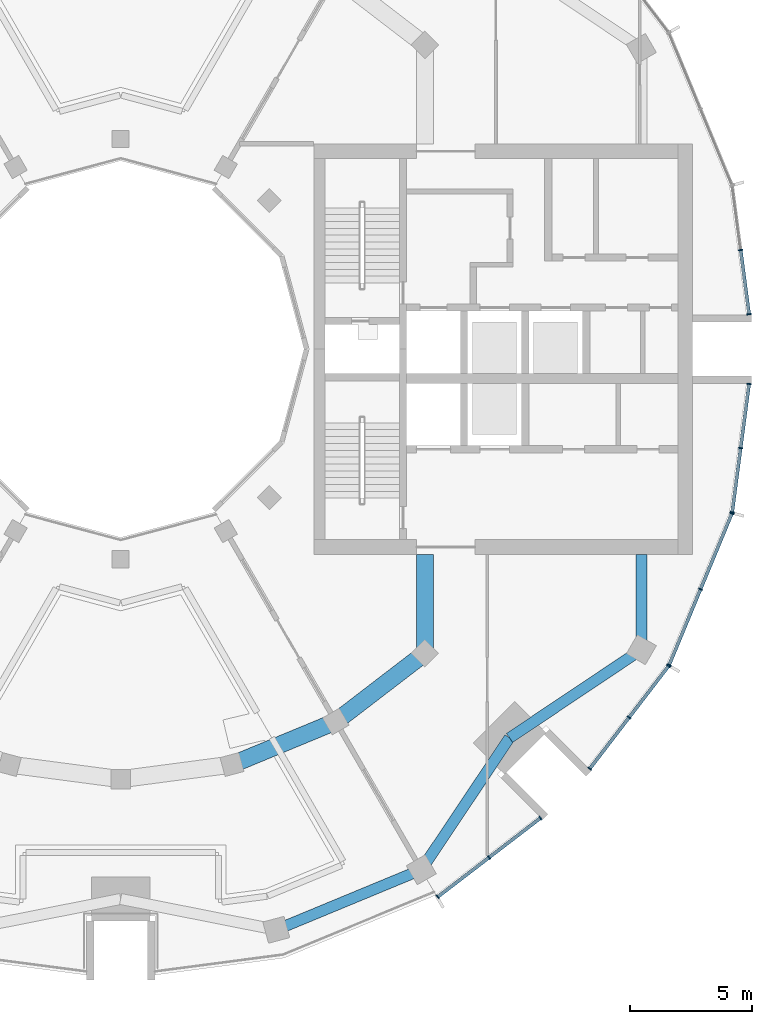
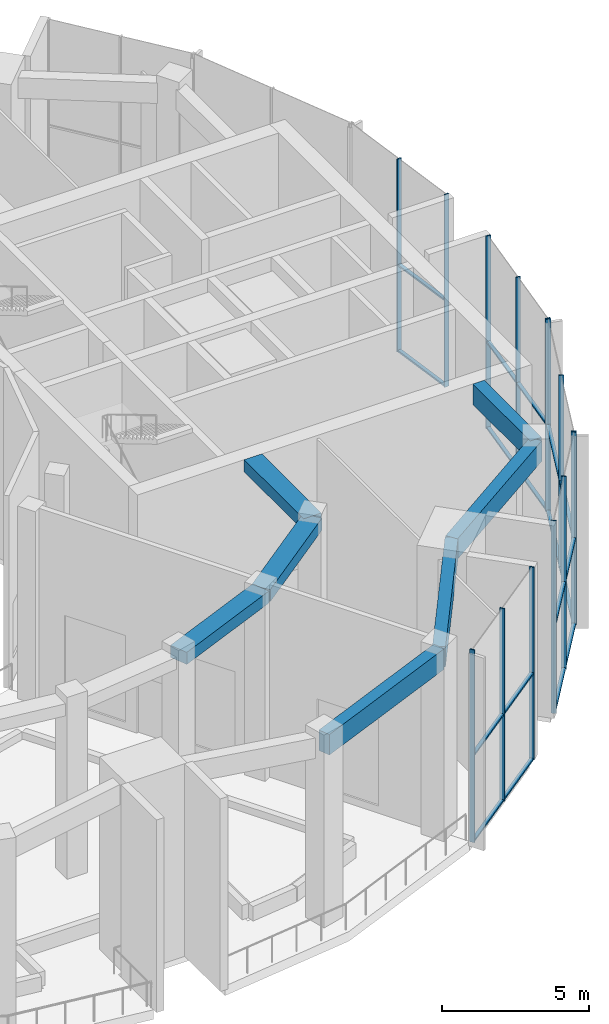
# One storey, part 5 of 18: 32 members, 7 beams, 5 elements without a shape of their own.
"""IFC4 building model written with IfcOpenShell, lengths in metres."""

from ifc_helpers import new_model, si_unit, direction, frame, origin, origin_2d, place, context, subcontext, project, spatial, rectangle, extrude, material, layer, layer_set, material_profile, profile_set, type_object, element, aggregate, save


model = new_model("IFC4")

# Units and contexts
model_context = context("Model", 3, precision=1e-05, world=origin(), true_north=direction((0.0, 1.0)))
body_context = subcontext(model_context, "Body", "Model", "MODEL_VIEW")
ifc_project = project(units=[si_unit("LENGTHUNIT", "METRE"), si_unit("AREAUNIT", "SQUARE_METRE"), si_unit("VOLUMEUNIT", "CUBIC_METRE"), si_unit("PLANEANGLEUNIT", "RADIAN"), si_unit("MASSUNIT", "GRAM", prefix="KILO")], contexts=[model_context])

# Site, building, storey
site_placement = place(None, origin())
site = spatial("IfcSite", under=ifc_project, at=site_placement, CompositionType="ELEMENT")
building_placement = place(site_placement, origin())
building = spatial("IfcBuilding", under=site, at=building_placement, Name="Torre Brocal", CompositionType="ELEMENT")
storey_placement = place(building_placement, frame((0.0, 0.0, 229.300048828125)))
storey = spatial("IfcBuildingStorey", under=building, at=storey_placement, Name="L53", CompositionType="ELEMENT", Elevation=229.300048828125)

# Curtain wall, members
ifc_material_1 = material(Name="Aluminium and glass", Category="aluminium")
ifc_layer = layer(ifc_material_1, 0.199951171875)
ifc_layer_set = layer_set([ifc_layer], Name="Aluminium and glass")
curtain_wall_type = type_object("IfcCurtainWallType", Name="CW-4 CURTAIN WALL 8000 HIGH", PredefinedType="NOTDEFINED", material=ifc_layer_set)
curtain_wall_1_placement = place(storey_placement, origin())
curtain_wall_1 = element("IfcCurtainWall", 1, at=curtain_wall_1_placement, inside=storey, type_object=curtain_wall_type, Name="CW-4 RUN 1", PredefinedType="NOTDEFINED")
ifc_material_2 = material(Name="Aluminium, dark anodised", Category="aluminium")
ifc_material_profile_1 = material_profile(ifc_material_2, rectangle(XDim=0.179931640625, YDim=0.050048828125, at=origin_2d()), Name="CW-4 MULLION 50X180")
ifc_profile_set_1 = profile_set([ifc_material_profile_1], Name="Aluminium, dark anodised")
member_type_1 = type_object("IfcMemberType", Name="CW-4 MULLION 50X180", PredefinedType="MULLION", material=ifc_profile_set_1)
member_1_placement = place(storey_placement, frame((105.711669921875, 76.4248046875, 0.0), z_axis=(0.0, 0.0, 1.0), x_axis=(-0.991444861374, -0.13052619222, 0.0)))
member_1 = element("IfcMember", 2, at=member_1_placement, type_object=member_type_1, Name="CW4-1 mullion 1", PredefinedType="MULLION", context=body_context, shape_type="SweptSolid", body=[
    extrude(rectangle(XDim=0.179931640625, YDim=0.050048828125, at=origin_2d()), origin(), (0.0, 0.0, 1.0), 8.0),
])
member_2_placement = place(storey_placement, frame((105.36572265625, 79.051513671875, 0.0), z_axis=(0.0, 0.0, 1.0), x_axis=(-0.991444861374, -0.13052619222, 0.0)))
member_2 = element("IfcMember", 3, at=member_2_placement, type_object=member_type_1, Name="CW4-1 mullion 2", PredefinedType="MULLION", context=body_context, shape_type="SweptSolid", body=[
    extrude(rectangle(XDim=0.179931640625, YDim=0.050048828125, at=origin_2d()), origin(), (0.0, 0.0, 1.0), 8.0),
])

curtain_wall_2_placement = place(storey_placement, origin())
curtain_wall_2 = element("IfcCurtainWall", 4, at=curtain_wall_2_placement, inside=storey, type_object=curtain_wall_type, Name="CW-4 RUN 21", PredefinedType="NOTDEFINED")
member_3_placement = place(storey_placement, frame((92.969482421875, 52.5859375, 0.0), z_axis=(0.0, 0.0, 1.0), x_axis=(-0.60876142905, 0.793353340259, 0.0)))
member_3 = element("IfcMember", 5, at=member_3_placement, type_object=member_type_1, Name="CW4-1 mullion 1", PredefinedType="MULLION", context=body_context, shape_type="SweptSolid", body=[
    extrude(rectangle(XDim=0.179931640625, YDim=0.050048828125, at=origin_2d()), origin(), (0.0, 0.0, 1.0), 8.0),
])
member_4_placement = place(storey_placement, frame((95.0712890625, 54.19873046875, 0.0), z_axis=(0.0, 0.0, 1.0), x_axis=(-0.60876142905, 0.793353340259, 0.0)))
member_4 = element("IfcMember", 6, at=member_4_placement, type_object=member_type_1, Name="CW4-1 mullion 2", PredefinedType="MULLION", context=body_context, shape_type="SweptSolid", body=[
    extrude(rectangle(XDim=0.179931640625, YDim=0.050048828125, at=origin_2d()), origin(), (0.0, 0.0, 1.0), 8.0),
])
member_5_placement = place(storey_placement, frame((97.17333984375, 55.811767578125, 0.0), z_axis=(0.0, 0.0, 1.0), x_axis=(-0.60876142905, 0.793353340259, 0.0)))
member_5 = element("IfcMember", 7, at=member_5_placement, type_object=member_type_1, Name="CW4-1 mullion 3", PredefinedType="MULLION", context=body_context, shape_type="SweptSolid", body=[
    extrude(rectangle(XDim=0.179931640625, YDim=0.050048828125, at=origin_2d()), origin(), (0.0, 0.0, 1.0), 8.0),
])

curtain_wall_3_placement = place(storey_placement, origin())
curtain_wall_3 = element("IfcCurtainWall", 8, at=curtain_wall_3_placement, inside=storey, type_object=curtain_wall_type, Name="CW-4 RUN 22", PredefinedType="NOTDEFINED")
member_6_placement = place(storey_placement, frame((99.188232421875, 57.82666015625, 0.0), z_axis=(0.0, 0.0, 1.0), x_axis=(-0.793353340259, 0.60876142905, 0.0)))
member_6 = element("IfcMember", 9, at=member_6_placement, type_object=member_type_1, Name="CW4-1 mullion 1", PredefinedType="MULLION", context=body_context, shape_type="SweptSolid", body=[
    extrude(rectangle(XDim=0.179931640625, YDim=0.050048828125, at=origin_2d()), origin(), (0.0, 0.0, 1.0), 8.0),
])
member_7_placement = place(storey_placement, frame((100.80126953125, 59.9287109375, 0.0), z_axis=(0.0, 0.0, 1.0), x_axis=(-0.793353340259, 0.60876142905, 0.0)))
member_7 = element("IfcMember", 10, at=member_7_placement, type_object=member_type_1, Name="CW4-1 mullion 2", PredefinedType="MULLION", context=body_context, shape_type="SweptSolid", body=[
    extrude(rectangle(XDim=0.179931640625, YDim=0.050048828125, at=origin_2d()), origin(), (0.0, 0.0, 1.0), 8.0),
])
member_8_placement = place(storey_placement, frame((102.4140625, 62.030517578125, 0.0), z_axis=(0.0, 0.0, 1.0), x_axis=(-0.793353340259, 0.60876142905, 0.0)))
member_8 = element("IfcMember", 11, at=member_8_placement, type_object=member_type_1, Name="CW4-1 mullion 3", PredefinedType="MULLION", context=body_context, shape_type="SweptSolid", body=[
    extrude(rectangle(XDim=0.179931640625, YDim=0.050048828125, at=origin_2d()), origin(), (0.0, 0.0, 1.0), 8.0),
])

curtain_wall_4_placement = place(storey_placement, origin())
curtain_wall_4 = element("IfcCurtainWall", 12, at=curtain_wall_4_placement, inside=storey, type_object=curtain_wall_type, Name="CW-4 RUN 23", PredefinedType="NOTDEFINED")
member_9_placement = place(storey_placement, frame((102.43896484375, 62.073486328125, 0.0), z_axis=(0.0, 0.0, 1.0), x_axis=(-0.923879532525, 0.382683432333, 0.0)))
member_9 = element("IfcMember", 13, at=member_9_placement, type_object=member_type_1, Name="CW4-1 mullion 1", PredefinedType="MULLION", context=body_context, shape_type="SweptSolid", body=[
    extrude(rectangle(XDim=0.179931640625, YDim=0.050048828125, at=origin_2d()), origin(), (0.0, 0.0, 1.0), 8.0),
])
member_10_placement = place(storey_placement, frame((103.722900390625, 65.173583984375, 0.0), z_axis=(0.0, 0.0, 1.0), x_axis=(-0.923879532525, 0.382683432333, 0.0)))
member_10 = element("IfcMember", 14, at=member_10_placement, type_object=member_type_1, Name="CW4-1 mullion 2", PredefinedType="MULLION", context=body_context, shape_type="SweptSolid", body=[
    extrude(rectangle(XDim=0.179931640625, YDim=0.050048828125, at=origin_2d()), origin(), (0.0, 0.0, 1.0), 8.0),
])
member_11_placement = place(storey_placement, frame((105.007080078125, 68.273681640625, 0.0), z_axis=(0.0, 0.0, 1.0), x_axis=(-0.923879532525, 0.382683432333, 0.0)))
member_11 = element("IfcMember", 15, at=member_11_placement, type_object=member_type_1, Name="CW4-1 mullion 3", PredefinedType="MULLION", context=body_context, shape_type="SweptSolid", body=[
    extrude(rectangle(XDim=0.179931640625, YDim=0.050048828125, at=origin_2d()), origin(), (0.0, 0.0, 1.0), 8.0),
])

curtain_wall_5_placement = place(storey_placement, origin())
curtain_wall_5 = element("IfcCurtainWall", 16, at=curtain_wall_5_placement, inside=storey, type_object=curtain_wall_type, Name="CW-4 RUN 24", PredefinedType="NOTDEFINED")
member_12_placement = place(storey_placement, frame((105.02001953125, 68.321533203125, 0.0), z_axis=(0.0, 0.0, 1.0), x_axis=(-0.991444861374, 0.13052619222, 0.0)))
member_12 = element("IfcMember", 17, at=member_12_placement, type_object=member_type_1, Name="CW4-1 mullion 1", PredefinedType="MULLION", context=body_context, shape_type="SweptSolid", body=[
    extrude(rectangle(XDim=0.179931640625, YDim=0.050048828125, at=origin_2d()), origin(), (0.0, 0.0, 1.0), 8.0),
])
member_13_placement = place(storey_placement, frame((105.36572265625, 70.948486328125, 0.0), z_axis=(0.0, 0.0, 1.0), x_axis=(-0.991444861374, 0.13052619222, 0.0)))
member_13 = element("IfcMember", 18, at=member_13_placement, type_object=member_type_1, Name="CW4-1 mullion 2", PredefinedType="MULLION", context=body_context, shape_type="SweptSolid", body=[
    extrude(rectangle(XDim=0.179931640625, YDim=0.050048828125, at=origin_2d()), origin(), (0.0, 0.0, 1.0), 8.0),
])
member_14_placement = place(storey_placement, frame((105.711669921875, 73.5751953125, 0.0), z_axis=(0.0, 0.0, 1.0), x_axis=(-0.991444861374, 0.13052619222, 0.0)))
member_14 = element("IfcMember", 19, at=member_14_placement, type_object=member_type_1, Name="CW4-1 mullion 3", PredefinedType="MULLION", context=body_context, shape_type="SweptSolid", body=[
    extrude(rectangle(XDim=0.179931640625, YDim=0.050048828125, at=origin_2d()), origin(), (0.0, 0.0, 1.0), 8.0),
])

# Member
ifc_material_3 = material(Name="Aluminium, dark anodised", Category="aluminium")
ifc_material_profile_2 = material_profile(ifc_material_3, rectangle(XDim=0.139892578125, YDim=0.070068359375, at=origin_2d()), Name="CW-4 TRANSOM 140X70")
ifc_profile_set_2 = profile_set([ifc_material_profile_2], Name="Aluminium, dark anodised")
member_type_2 = type_object("IfcMemberType", Name="CW-4 TRANSOM 140X70", PredefinedType="USERDEFINED", material=ifc_profile_set_2)
member_15_placement = place(storey_placement, frame((105.708251953125, 76.449462890625, 0.034912109375), z_axis=(-0.130539539143, 0.991443104127, 0.0), x_axis=(-0.991443104127, -0.130539539143, 0.0)))
member_15 = element("IfcMember", 20, at=member_15_placement, type_object=member_type_2, Name="CW4-1 transom 1.1", ObjectType="TRANSOM", PredefinedType="USERDEFINED", context=body_context, shape_type="SweptSolid", body=[
    extrude(rectangle(XDim=0.139892578125, YDim=0.070068359375, at=origin_2d()), origin(), (0.0, 0.0, 1.0), 2.599609375),
])

member_16_placement = place(storey_placement, frame((105.708251953125, 76.449462890625, 3.599853515625), z_axis=(-0.130539539143, 0.991443104127, 0.0), x_axis=(-0.991443104127, -0.130539539143, 0.0)))
member_16 = element("IfcMember", 21, at=member_16_placement, type_object=member_type_2, Name="CW4-1 transom 1.2", ObjectType="TRANSOM", PredefinedType="USERDEFINED", context=body_context, shape_type="SweptSolid", body=[
    extrude(rectangle(XDim=0.139892578125, YDim=0.070068359375, at=origin_2d()), origin(), (0.0, 0.0, 1.0), 2.599609375),
])

aggregate(curtain_wall_1, [member_1, member_2, member_15, member_16])

member_17_placement = place(storey_placement, frame((92.9892578125, 52.60107421875, 0.034912109375), z_axis=(0.793335698171, 0.608784419977, 0.0), x_axis=(-0.608784419977, 0.793335698171, 0.0)))
member_17 = element("IfcMember", 22, at=member_17_placement, type_object=member_type_2, Name="CW4-1 transom 1.1", ObjectType="TRANSOM", PredefinedType="USERDEFINED", context=body_context, shape_type="SweptSolid", body=[
    extrude(rectangle(XDim=0.139892578125, YDim=0.070068359375, at=origin_2d()), origin(), (0.0, 0.0, 1.0), 2.599365234375),
])

member_18_placement = place(storey_placement, frame((92.9892578125, 52.60107421875, 3.599853515625), z_axis=(0.793335698171, 0.608784419977, 0.0), x_axis=(-0.608784419977, 0.793335698171, 0.0)))
member_18 = element("IfcMember", 23, at=member_18_placement, type_object=member_type_2, Name="CW4-1 transom 1.2", ObjectType="TRANSOM", PredefinedType="USERDEFINED", context=body_context, shape_type="SweptSolid", body=[
    extrude(rectangle(XDim=0.139892578125, YDim=0.070068359375, at=origin_2d()), origin(), (0.0, 0.0, 1.0), 2.599365234375),
])

member_19_placement = place(storey_placement, frame((95.09130859375, 54.214111328125, 0.034912109375), z_axis=(0.79338105877, 0.608725303881, 0.0), x_axis=(-0.608725303881, 0.79338105877, 0.0)))
member_19 = element("IfcMember", 24, at=member_19_placement, type_object=member_type_2, Name="CW4-1 transom 2.1", ObjectType="TRANSOM", PredefinedType="USERDEFINED", context=body_context, shape_type="SweptSolid", body=[
    extrude(rectangle(XDim=0.139892578125, YDim=0.070068359375, at=origin_2d()), origin(), (0.0, 0.0, 1.0), 2.599365234375),
])

member_20_placement = place(storey_placement, frame((95.09130859375, 54.214111328125, 3.599853515625), z_axis=(0.79338105877, 0.608725303881, 0.0), x_axis=(-0.608725303881, 0.79338105877, 0.0)))
member_20 = element("IfcMember", 25, at=member_20_placement, type_object=member_type_2, Name="CW4-1 transom 2.2", ObjectType="TRANSOM", PredefinedType="USERDEFINED", context=body_context, shape_type="SweptSolid", body=[
    extrude(rectangle(XDim=0.139892578125, YDim=0.070068359375, at=origin_2d()), origin(), (0.0, 0.0, 1.0), 2.599365234375),
])

aggregate(curtain_wall_2, [member_3, member_4, member_5, member_17, member_18, member_19, member_20])

member_21_placement = place(storey_placement, frame((99.20361328125, 57.846435546875, 0.034912109375), z_axis=(0.608725303881, 0.79338105877, 0.0), x_axis=(-0.79338105877, 0.608725303881, 0.0)))
member_21 = element("IfcMember", 26, at=member_21_placement, type_object=member_type_2, Name="CW4-1 transom 1.1", ObjectType="TRANSOM", PredefinedType="USERDEFINED", context=body_context, shape_type="SweptSolid", body=[
    extrude(rectangle(XDim=0.139892578125, YDim=0.070068359375, at=origin_2d()), origin(), (0.0, 0.0, 1.0), 2.599365234375),
])

member_22_placement = place(storey_placement, frame((99.20361328125, 57.846435546875, 3.599853515625), z_axis=(0.608725303881, 0.79338105877, 0.0), x_axis=(-0.79338105877, 0.608725303881, 0.0)))
member_22 = element("IfcMember", 27, at=member_22_placement, type_object=member_type_2, Name="CW4-1 transom 1.2", ObjectType="TRANSOM", PredefinedType="USERDEFINED", context=body_context, shape_type="SweptSolid", body=[
    extrude(rectangle(XDim=0.139892578125, YDim=0.070068359375, at=origin_2d()), origin(), (0.0, 0.0, 1.0), 2.599365234375),
])

member_23_placement = place(storey_placement, frame((100.81640625, 59.948486328125, 0.034912109375), z_axis=(0.608784419977, 0.793335698171, 0.0), x_axis=(-0.793335698171, 0.608784419977, 0.0)))
member_23 = element("IfcMember", 28, at=member_23_placement, type_object=member_type_2, Name="CW4-1 transom 2.1", ObjectType="TRANSOM", PredefinedType="USERDEFINED", context=body_context, shape_type="SweptSolid", body=[
    extrude(rectangle(XDim=0.139892578125, YDim=0.070068359375, at=origin_2d()), origin(), (0.0, 0.0, 1.0), 2.599365234375),
])

member_24_placement = place(storey_placement, frame((100.81640625, 59.948486328125, 3.599853515625), z_axis=(0.608784419977, 0.793335698171, 0.0), x_axis=(-0.793335698171, 0.608784419977, 0.0)))
member_24 = element("IfcMember", 29, at=member_24_placement, type_object=member_type_2, Name="CW4-1 transom 2.2", ObjectType="TRANSOM", PredefinedType="USERDEFINED", context=body_context, shape_type="SweptSolid", body=[
    extrude(rectangle(XDim=0.139892578125, YDim=0.070068359375, at=origin_2d()), origin(), (0.0, 0.0, 1.0), 2.599365234375),
])

aggregate(curtain_wall_3, [member_6, member_7, member_8, member_21, member_22, member_23, member_24])

member_25_placement = place(storey_placement, frame((102.448486328125, 62.0966796875, 0.034912109375), z_axis=(0.382658376168, 0.92388991073, 0.0), x_axis=(-0.92388991073, 0.382658376168, 0.0)))
member_25 = element("IfcMember", 30, at=member_25_placement, type_object=member_type_2, Name="CW4-1 transom 1.1", ObjectType="TRANSOM", PredefinedType="USERDEFINED", context=body_context, shape_type="SweptSolid", body=[
    extrude(rectangle(XDim=0.139892578125, YDim=0.070068359375, at=origin_2d()), origin(), (0.0, 0.0, 1.0), 3.305419921875),
])

member_26_placement = place(storey_placement, frame((102.448486328125, 62.0966796875, 3.599853515625), z_axis=(0.382658376168, 0.92388991073, 0.0), x_axis=(-0.92388991073, 0.382658376168, 0.0)))
member_26 = element("IfcMember", 31, at=member_26_placement, type_object=member_type_2, Name="CW4-1 transom 1.2", ObjectType="TRANSOM", PredefinedType="USERDEFINED", context=body_context, shape_type="SweptSolid", body=[
    extrude(rectangle(XDim=0.139892578125, YDim=0.070068359375, at=origin_2d()), origin(), (0.0, 0.0, 1.0), 3.305419921875),
])

member_27_placement = place(storey_placement, frame((103.732666015625, 65.19677734375, 0.034912109375), z_axis=(0.382658376168, 0.92388991073, 0.0), x_axis=(-0.92388991073, 0.382658376168, 0.0)))
member_27 = element("IfcMember", 32, at=member_27_placement, type_object=member_type_2, Name="CW4-1 transom 2.1", ObjectType="TRANSOM", PredefinedType="USERDEFINED", context=body_context, shape_type="SweptSolid", body=[
    extrude(rectangle(XDim=0.139892578125, YDim=0.070068359375, at=origin_2d()), origin(), (0.0, 0.0, 1.0), 3.305419921875),
])

member_28_placement = place(storey_placement, frame((103.732666015625, 65.19677734375, 3.599853515625), z_axis=(0.382658376168, 0.92388991073, 0.0), x_axis=(-0.92388991073, 0.382658376168, 0.0)))
member_28 = element("IfcMember", 33, at=member_28_placement, type_object=member_type_2, Name="CW4-1 transom 2.2", ObjectType="TRANSOM", PredefinedType="USERDEFINED", context=body_context, shape_type="SweptSolid", body=[
    extrude(rectangle(XDim=0.139892578125, YDim=0.070068359375, at=origin_2d()), origin(), (0.0, 0.0, 1.0), 3.305419921875),
])

aggregate(curtain_wall_4, [member_9, member_10, member_11, member_25, member_26, member_27, member_28])

member_29_placement = place(storey_placement, frame((105.023193359375, 68.346435546875, 0.034912109375), z_axis=(0.130551694767, 0.991441503566, 0.0), x_axis=(-0.991441503566, 0.130551694767, 0.0)))
member_29 = element("IfcMember", 34, at=member_29_placement, type_object=member_type_2, Name="CW4-1 transom 1.1", ObjectType="TRANSOM", PredefinedType="USERDEFINED", context=body_context, shape_type="SweptSolid", body=[
    extrude(rectangle(XDim=0.139892578125, YDim=0.070068359375, at=origin_2d()), origin(), (0.0, 0.0, 1.0), 2.599365234375),
])

member_30_placement = place(storey_placement, frame((105.023193359375, 68.346435546875, 3.599853515625), z_axis=(0.130551694767, 0.991441503566, 0.0), x_axis=(-0.991441503566, 0.130551694767, 0.0)))
member_30 = element("IfcMember", 35, at=member_30_placement, type_object=member_type_2, Name="CW4-1 transom 1.2", ObjectType="TRANSOM", PredefinedType="USERDEFINED", context=body_context, shape_type="SweptSolid", body=[
    extrude(rectangle(XDim=0.139892578125, YDim=0.070068359375, at=origin_2d()), origin(), (0.0, 0.0, 1.0), 2.599365234375),
])

member_31_placement = place(storey_placement, frame((105.368896484375, 70.97314453125, 0.034912109375), z_axis=(0.130539539143, 0.991443104127, 0.0), x_axis=(-0.991443104127, 0.130539539143, 0.0)))
member_31 = element("IfcMember", 36, at=member_31_placement, type_object=member_type_2, Name="CW4-1 transom 2.1", ObjectType="TRANSOM", PredefinedType="USERDEFINED", context=body_context, shape_type="SweptSolid", body=[
    extrude(rectangle(XDim=0.139892578125, YDim=0.070068359375, at=origin_2d()), origin(), (0.0, 0.0, 1.0), 2.599609375),
])

member_32_placement = place(storey_placement, frame((105.368896484375, 70.97314453125, 3.599853515625), z_axis=(0.130539539143, 0.991443104127, 0.0), x_axis=(-0.991443104127, 0.130539539143, 0.0)))
member_32 = element("IfcMember", 37, at=member_32_placement, type_object=member_type_2, Name="CW4-1 transom 2.2", ObjectType="TRANSOM", PredefinedType="USERDEFINED", context=body_context, shape_type="SweptSolid", body=[
    extrude(rectangle(XDim=0.139892578125, YDim=0.070068359375, at=origin_2d()), origin(), (0.0, 0.0, 1.0), 2.599609375),
])

aggregate(curtain_wall_5, [member_12, member_13, member_14, member_29, member_30, member_31, member_32])

# Beams
ifc_material_4 = material(Name="Concrete C50", Category="concrete")
ifc_material_profile_3 = material_profile(ifc_material_4, rectangle(XDim=0.699951171875, YDim=0.5, at=origin_2d()), Name="RC 700X500")
ifc_profile_set_3 = profile_set([ifc_material_profile_3], Name="Concrete C50")
beam_type_1 = type_object("IfcBeamType", Name="RC BEAM 700X500 C50 TOP 7680", PredefinedType="BEAM", material=ifc_profile_set_3)
beam_1_placement = place(storey_placement, frame((84.55517578125, 57.999755859375, 7.429931640625), z_axis=(0.923878240166, 0.382686552348, 0.0), x_axis=(-0.382686552348, 0.923878240166, 0.0)))
element("IfcBeam", 38, at=beam_1_placement, inside=storey, type_object=beam_type_1, Name="Beam BT-41", PredefinedType="BEAM", context=body_context, shape_type="SweptSolid", body=[
    extrude(rectangle(XDim=0.699951171875, YDim=0.5, at=origin_2d()), origin(), (0.0, 0.0, 1.0), 4.5947265625),
])
beam_2_placement = place(storey_placement, frame((88.800048828125, 59.758056640625, 7.429931640625), z_axis=(0.793358265959, 0.6087550097, 0.0), x_axis=(-0.6087550097, 0.793358265959, 0.0)))
element("IfcBeam", 39, at=beam_2_placement, inside=storey, type_object=beam_type_1, Name="Beam BT-41", PredefinedType="BEAM", context=body_context, shape_type="SweptSolid", body=[
    extrude(rectangle(XDim=0.699951171875, YDim=0.5, at=origin_2d()), origin(), (0.0, 0.0, 1.0), 4.594482421875),
])
beam_3_placement = place(storey_placement, frame((92.445068359375, 62.554931640625, 7.429931640625), z_axis=(0.0, 1.0, 0.0), x_axis=(-1.0, 0.0, 0.0)))
element("IfcBeam", 40, at=beam_3_placement, inside=storey, type_object=beam_type_1, Name="Beam BT-41", PredefinedType="BEAM", context=body_context, shape_type="SweptSolid", body=[
    extrude(rectangle(XDim=0.699951171875, YDim=0.5, at=origin_2d()), origin(), (0.0, 0.0, 1.0), 4.045166015625),
])
ifc_material_5 = material(Name="Concrete C50", Category="concrete")
ifc_material_profile_4 = material_profile(ifc_material_5, rectangle(XDim=0.449951171875, YDim=0.85009765625, at=origin_2d()), Name="RC 450X850")
ifc_profile_set_4 = profile_set([ifc_material_profile_4], Name="Concrete C50")
beam_type_2 = type_object("IfcBeamType", Name="RC SPANDREL BEAM 450X850 C50 TOP 7680", PredefinedType="SPANDREL", material=ifc_profile_set_4)
beam_4_placement = place(storey_placement, frame((86.366943359375, 51.23828125, 7.2548828125), z_axis=(0.923882462513, 0.382676358639, 0.0), x_axis=(-0.382676358639, 0.923882462513, 0.0)))
element("IfcBeam", 41, at=beam_4_placement, inside=storey, type_object=beam_type_2, Name="Beam BT-42", PredefinedType="SPANDREL", context=body_context, shape_type="SweptSolid", body=[
    extrude(rectangle(XDim=0.449951171875, YDim=0.85009765625, at=origin_2d()), origin(), (0.0, 0.0, 1.0), 6.421875),
])
for number, where, z_axis, x_axis, name in (
    (42, (92.300048828125, 53.69580078125, 7.2548828125), (0.556157602282, 0.831076844476, 0.0), (-0.831076844476, 0.556157602282, 0.0), "Beam BT-42"),
    (43, (95.909912109375, 59.090087890625, 7.2548828125), (0.831076844476, 0.556157602282, 0.0), (-0.556157602282, 0.831076844476, 0.0), "Beam BT-42"),
):
    element("IfcBeam", number, at=place(storey_placement, frame(where, z_axis=z_axis, x_axis=x_axis)), inside=storey, type_object=beam_type_2, Name=name, PredefinedType="SPANDREL", context=body_context, shape_type="SweptSolid", body=[
        extrude(rectangle(XDim=0.449951171875, YDim=0.85009765625, at=origin_2d()), origin(), (0.0, 0.0, 1.0), 6.49072265625),
    ])
beam_5_placement = place(storey_placement, frame((101.30419921875, 62.699951171875, 7.2548828125), z_axis=(0.0, 1.0, 0.0), x_axis=(-1.0, 0.0, 0.0)))
element("IfcBeam", 44, at=beam_5_placement, inside=storey, type_object=beam_type_2, Name="Beam BT-42", PredefinedType="SPANDREL", context=body_context, shape_type="SweptSolid", body=[
    extrude(rectangle(XDim=0.449951171875, YDim=0.85009765625, at=origin_2d()), origin(), (0.0, 0.0, 1.0), 3.900146484375),
])

save(model, "model.ifc")
